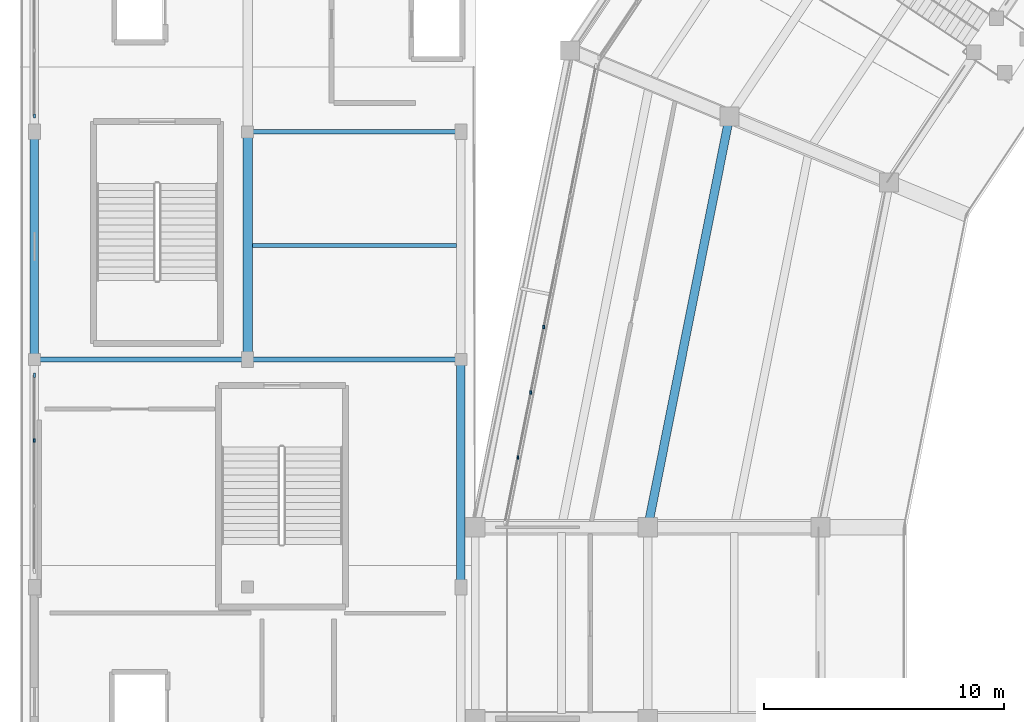
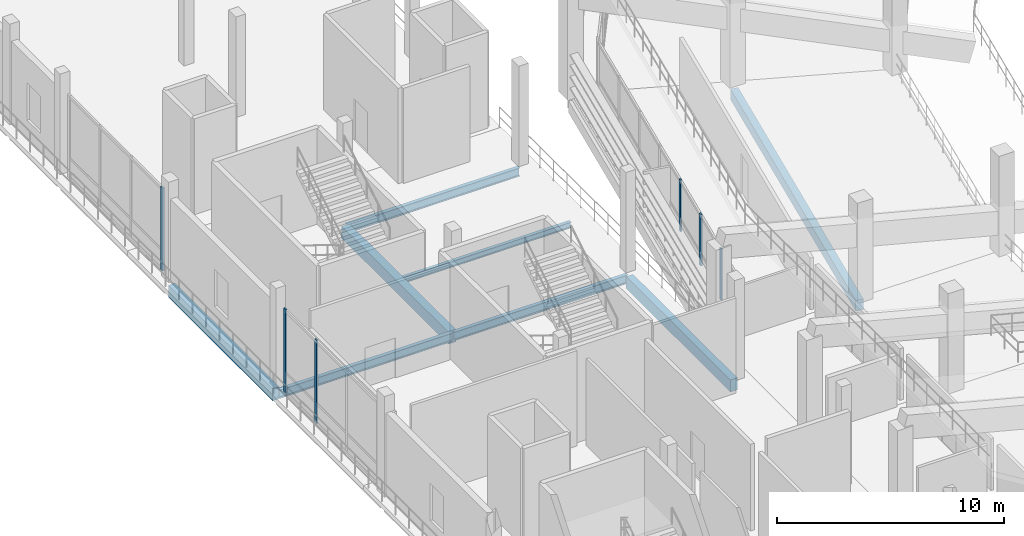
# One storey, part 22 of 96: 8 beams, 6 members, 3 elements without a shape of their own.
"""IFC4 building model written with IfcOpenShell, lengths in metres."""

from ifc_helpers import new_model, si_unit, direction, frame, origin, origin_2d, place, context, subcontext, project, spatial, rectangle, i_section, extrude, material, material_profile, profile_set, type_object, element, aggregate, save


model = new_model("IFC4")

# Units and contexts
model_context = context("Model", 3, precision=1e-05, world=origin(), true_north=direction((0.0, 1.0)))
body_context = subcontext(model_context, "Body", "Model", "MODEL_VIEW")
ifc_project = project(units=[si_unit("LENGTHUNIT", "METRE"), si_unit("AREAUNIT", "SQUARE_METRE"), si_unit("VOLUMEUNIT", "CUBIC_METRE"), si_unit("PLANEANGLEUNIT", "RADIAN"), si_unit("MASSUNIT", "GRAM", prefix="KILO")], contexts=[model_context])

# Site, building, storey
site_placement = place(None, origin())
site = spatial("IfcSite", under=ifc_project, at=site_placement, CompositionType="ELEMENT")
building_placement = place(site_placement, origin())
building = spatial("IfcBuilding", under=site, at=building_placement, Name="Candeia Ridge Stadium", CompositionType="ELEMENT")
storey_placement = place(building_placement, frame((0.0, 0.0, 21.60009765625)))
storey = spatial("IfcBuildingStorey", under=building, at=storey_placement, Name="L04", CompositionType="ELEMENT", Elevation=21.60009765625)

# Curtain wall, member
ifc_material_1 = material(Name="Aluminium Anodized Warm Bronze", Category="aluminium")
curtain_wall_type_1 = type_object("IfcCurtainWallType", Name="West Pavilion Hospitality Curtain Wall", PredefinedType="NOTDEFINED", material=ifc_material_1)
curtain_wall_1_placement = place(storey_placement, origin())
curtain_wall_1 = element("IfcCurtainWall", 1, at=curtain_wall_1_placement, inside=storey, type_object=curtain_wall_type_1, Name="Unitised curtain wall CW-WNG-L04-096", PredefinedType="NOTDEFINED")
ifc_material_profile_1 = material_profile(ifc_material_1, rectangle(XDim=0.090087890625, YDim=0.179931640625, at=origin_2d()), Name="CWM-90x180", Category="aluminium")
ifc_profile_set_1 = profile_set([ifc_material_profile_1], Name="Aluminium Anodized Warm Bronze")
member_type_1 = type_object("IfcMemberType", Name="Curtain Wall Primary Mullion 90x180", PredefinedType="MULLION", material=ifc_profile_set_1)
member_1_placement = place(storey_placement, frame((0.60009765625, 101.340087890625, 0.0), z_axis=(0.0, 0.0, 1.0), x_axis=(1.0, 0.0, 0.0)))
member_1 = element("IfcMember", 2, at=member_1_placement, type_object=member_type_1, Name="Curtain wall mullion CW-WNG-L04-096-M3", PredefinedType="MULLION", context=body_context, shape_type="SweptSolid", body=[
    extrude(rectangle(XDim=0.090087890625, YDim=0.179931640625, at=origin_2d()), origin(), (0.0, 0.0, 1.0), 4.48486328125),
])

curtain_wall_2_placement = place(storey_placement, origin())
curtain_wall_2 = element("IfcCurtainWall", 3, at=curtain_wall_2_placement, inside=storey, type_object=curtain_wall_type_1, Name="Unitised curtain wall CW-WNG-L04-097", PredefinedType="NOTDEFINED")
member_2_placement = place(storey_placement, frame((0.60009765625, 112.159912109375, 0.0), z_axis=(0.0, 0.0, 1.0), x_axis=(1.0, 0.0, 0.0)))
member_2 = element("IfcMember", 4, at=member_2_placement, type_object=member_type_1, Name="Curtain wall mullion CW-WNG-L04-097-M0", PredefinedType="MULLION", context=body_context, shape_type="SweptSolid", body=[
    extrude(rectangle(XDim=0.090087890625, YDim=0.179931640625, at=origin_2d()), origin(), (0.0, 0.0, 1.0), 4.46484375),
])
aggregate(curtain_wall_2, [member_2])

# Curtain wall, members
curtain_wall_type_2 = type_object("IfcCurtainWallType", Name="Concourse Recessed Unitised Curtain Wall", PredefinedType="NOTDEFINED", material=ifc_material_1)
curtain_wall_3_placement = place(storey_placement, origin())
curtain_wall_3 = element("IfcCurtainWall", 5, at=curtain_wall_3_placement, inside=storey, type_object=curtain_wall_type_2, Name="Unitised curtain wall CW-BWL-L04-10", PredefinedType="NOTDEFINED")
ifc_material_profile_2 = material_profile(ifc_material_1, rectangle(XDim=0.074951171875, YDim=0.14990234375, at=origin_2d()), Name="CWM-75x150", Category="aluminium")
ifc_profile_set_2 = profile_set([ifc_material_profile_2], Name="Aluminium Anodized Warm Bronze")
member_type_2 = type_object("IfcMemberType", Name="Curtain Wall Secondary Mullion 75x150", PredefinedType="MULLION", material=ifc_profile_set_2)
member_3_placement = place(storey_placement, frame((21.8623046875, 103.356689453125, 0.0), z_axis=(0.0, 0.0, 1.0), x_axis=(1.0, 0.0, 0.0)))
member_3 = element("IfcMember", 6, at=member_3_placement, type_object=member_type_2, Name="Curtain wall mullion CW-BWL-L04-10-M4", PredefinedType="MULLION", context=body_context, shape_type="SweptSolid", body=[
    extrude(rectangle(XDim=0.074951171875, YDim=0.14990234375, at=origin_2d()), origin(), (0.0, 0.0, 1.0), 2.772216796875),
])
member_4_placement = place(storey_placement, frame((21.31982421875, 100.6298828125, 0.0), z_axis=(0.0, 0.0, 1.0), x_axis=(1.0, 0.0, 0.0)))
member_4 = element("IfcMember", 7, at=member_4_placement, type_object=member_type_2, Name="Curtain wall mullion CW-BWL-L04-10-M5", PredefinedType="MULLION", context=body_context, shape_type="SweptSolid", body=[
    extrude(rectangle(XDim=0.074951171875, YDim=0.14990234375, at=origin_2d()), origin(), (0.0, 0.0, 1.0), 2.772216796875),
])
member_5_placement = place(storey_placement, frame((20.777587890625, 97.9033203125, 0.0), z_axis=(0.0, 0.0, 1.0), x_axis=(1.0, 0.0, 0.0)))
member_5 = element("IfcMember", 8, at=member_5_placement, type_object=member_type_2, Name="Curtain wall mullion CW-BWL-L04-10-M6", PredefinedType="MULLION", context=body_context, shape_type="SweptSolid", body=[
    extrude(rectangle(XDim=0.074951171875, YDim=0.14990234375, at=origin_2d()), origin(), (0.0, 0.0, 1.0), 2.772216796875),
])
aggregate(curtain_wall_3, [member_3, member_4, member_5])

# Member
member_6_placement = place(storey_placement, frame((0.60009765625, 98.61328125, 0.0), z_axis=(0.0, 0.0, 1.0), x_axis=(1.0, 0.0, 0.0)))
member_6 = element("IfcMember", 9, at=member_6_placement, type_object=member_type_2, Name="Curtain wall mullion CW-WNG-L04-096-M2", PredefinedType="MULLION", context=body_context, shape_type="SweptSolid", body=[
    extrude(rectangle(XDim=0.074951171875, YDim=0.14990234375, at=origin_2d()), origin(), (0.0, 0.0, 1.0), 4.48486328125),
])

aggregate(curtain_wall_1, [member_6, member_1])

# Beams
ifc_material_2 = material(Name="Concrete C40/50", Category="concrete")
ifc_material_profile_3 = material_profile(ifc_material_2, rectangle(XDim=0.360107421875, YDim=0.580078125, at=origin_2d()), Name="RC360x580", Category="concrete")
ifc_profile_set_3 = profile_set([ifc_material_profile_3], Name="Concrete C40/50")
beam_type_1 = type_object("IfcBeamType", Name="Frame Girder RC360x580", PredefinedType="BEAM", material=ifc_profile_set_3)
beam_1_placement = place(storey_placement, frame((29.5791015625, 111.9873046875, -0.550048828125), z_axis=(-0.195098234154, -0.980783706548, 0.0), x_axis=(0.980783706548, -0.195098234154, 0.0)))
element("IfcBeam", 10, at=beam_1_placement, inside=storey, type_object=beam_type_1, Name="Concourse spine girder BM-L04-0839", PredefinedType="BEAM", context=body_context, shape_type="SweptSolid", body=[
    extrude(rectangle(XDim=0.360107421875, YDim=0.580078125, at=origin_2d()), origin(), (0.0, 0.0, 1.0), 17.16015625),
])
ifc_material_3 = material(Name="Steel ASTM A572 Grade 50", Category="steel")
ifc_material_profile_4 = material_profile(ifc_material_3, i_section(OverallWidth=0.1669921875, OverallDepth=0.31689453125, WebThickness=0.007568359375, FlangeThickness=0.01318359375, FilletRadius=0.011962890625, at=origin_2d()), Name="W310x52", Category="steel")
ifc_profile_set_4 = profile_set([ifc_material_profile_4], Name="Steel ASTM A572 Grade 50")
beam_type_2 = type_object("IfcBeamType", Name="Pavilion Secondary Joist W310x52", PredefinedType="JOIST", material=ifc_profile_set_4)
beam_2_placement = place(storey_placement, frame((9.699462890625, 106.75, -0.418701171875), z_axis=(1.0, 0.0, 0.0), x_axis=(0.0, 1.0, 0.0)))
element("IfcBeam", 11, at=beam_2_placement, inside=storey, type_object=beam_type_2, Name="Wing secondary joist BM-L04-1344", PredefinedType="JOIST", context=body_context, shape_type="SweptSolid", body=[
    extrude(i_section(OverallWidth=0.1669921875, OverallDepth=0.31689453125, WebThickness=0.007568359375, FlangeThickness=0.01318359375, FilletRadius=0.011962890625, at=origin_2d()), origin(), (0.0, 0.0, 1.0), 8.526123046875),
])
ifc_material_profile_5 = material_profile(ifc_material_3, i_section(OverallWidth=0.18994140625, OverallDepth=0.45703125, WebThickness=0.009033203125, FlangeThickness=0.014404296875, FilletRadius=0.012939453125, at=origin_2d()), Name="W460x74", Category="steel")
ifc_profile_set_5 = profile_set([ifc_material_profile_5], Name="Steel ASTM A572 Grade 50")
beam_type_3 = type_object("IfcBeamType", Name="Pavilion Steel Girder W460x74", PredefinedType="BEAM", material=ifc_profile_set_5)
for number, where, z_axis, x_axis, name in (
    (12, (0.64990234375, 102.0, -0.488525390625), (1.0, 0.0, 0.0), (0.0, 1.0, 0.0), "Structural girder BM-L04-1321"),
    (13, (9.550048828125, 102.0, -0.488525390625), (1.0, 0.0, 0.0), (0.0, 1.0, 0.0), "Structural girder BM-L04-1343"),
    (14, (9.550048828125, 111.5, -0.488525390625), (1.0, 0.0, 0.0), (0.0, 1.0, 0.0), "Structural girder BM-L04-1345"),
):
    element("IfcBeam", number, at=place(storey_placement, frame(where, z_axis=z_axis, x_axis=x_axis)), inside=storey, type_object=beam_type_3, Name=name, PredefinedType="BEAM", context=body_context, shape_type="SweptSolid", body=[
        extrude(i_section(OverallWidth=0.18994140625, OverallDepth=0.45703125, WebThickness=0.009033203125, FlangeThickness=0.014404296875, FilletRadius=0.012939453125, at=origin_2d()), origin(), (0.0, 0.0, 1.0), 8.800048828125),
    ])
ifc_material_profile_6 = material_profile(ifc_material_2, rectangle(XDim=0.35009765625, YDim=0.64990234375, at=origin_2d()), Name="RC350x650", Category="concrete")
ifc_profile_set_6 = profile_set([ifc_material_profile_6], Name="Concrete C40/50")
beam_type_4 = type_object("IfcBeamType", Name="Spandrel Beam RC350x650", PredefinedType="SPANDREL", material=ifc_profile_set_6)
for number, where, z_axis, x_axis, name in (
    (15, (0.60009765625, 102.159912109375, -0.585205078125), (0.0, 1.0, 0.0), (-1.0, 0.0, 0.0), "Structural girder BM-L04-1282"),
    (16, (18.39990234375, 92.659912109375, -0.585205078125), (0.0, 1.0, 0.0), (-1.0, 0.0, 0.0), "Structural girder BM-L04-1306"),
):
    element("IfcBeam", number, at=place(storey_placement, frame(where, z_axis=z_axis, x_axis=x_axis)), inside=storey, type_object=beam_type_4, Name=name, PredefinedType="SPANDREL", context=body_context, shape_type="SweptSolid", body=[
        extrude(rectangle(XDim=0.35009765625, YDim=0.64990234375, at=origin_2d()), origin(), (0.0, 0.0, 1.0), 9.18017578125),
    ])
ifc_material_profile_7 = material_profile(ifc_material_2, rectangle(XDim=0.39990234375, YDim=0.64990234375, at=origin_2d()), Name="RC400x650", Category="concrete")
ifc_profile_set_7 = profile_set([ifc_material_profile_7], Name="Concrete C40/50")
beam_type_5 = type_object("IfcBeamType", Name="Wing Primary Girder RC400x650", PredefinedType="BEAM", material=ifc_profile_set_7)
beam_3_placement = place(storey_placement, frame((9.5, 102.050048828125, -0.585205078125), z_axis=(0.0, 1.0, 0.0), x_axis=(-1.0, 0.0, 0.0)))
element("IfcBeam", 17, at=beam_3_placement, inside=storey, type_object=beam_type_5, Name="Structural girder BM-L04-1294", PredefinedType="BEAM", context=body_context, shape_type="SweptSolid", body=[
    extrude(rectangle(XDim=0.39990234375, YDim=0.64990234375, at=origin_2d()), origin(), (0.0, 0.0, 1.0), 9.39990234375),
])

save(model, "model.ifc")
